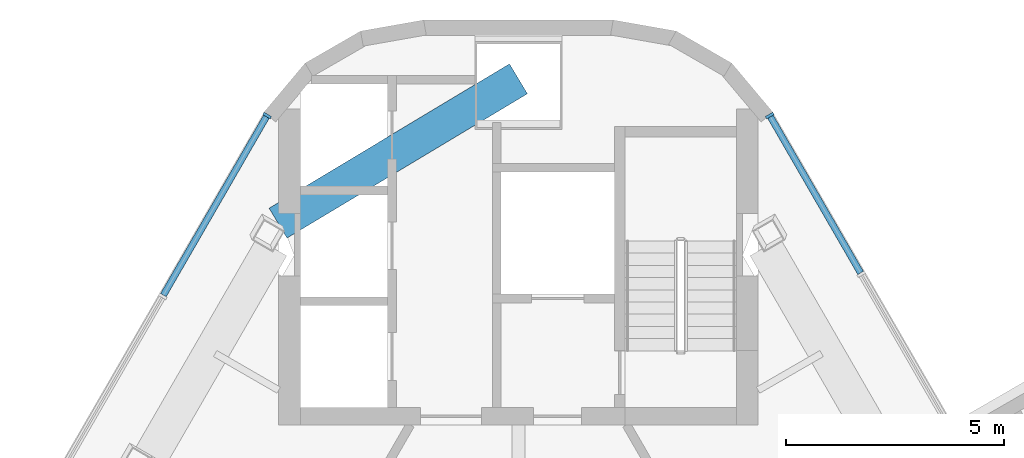
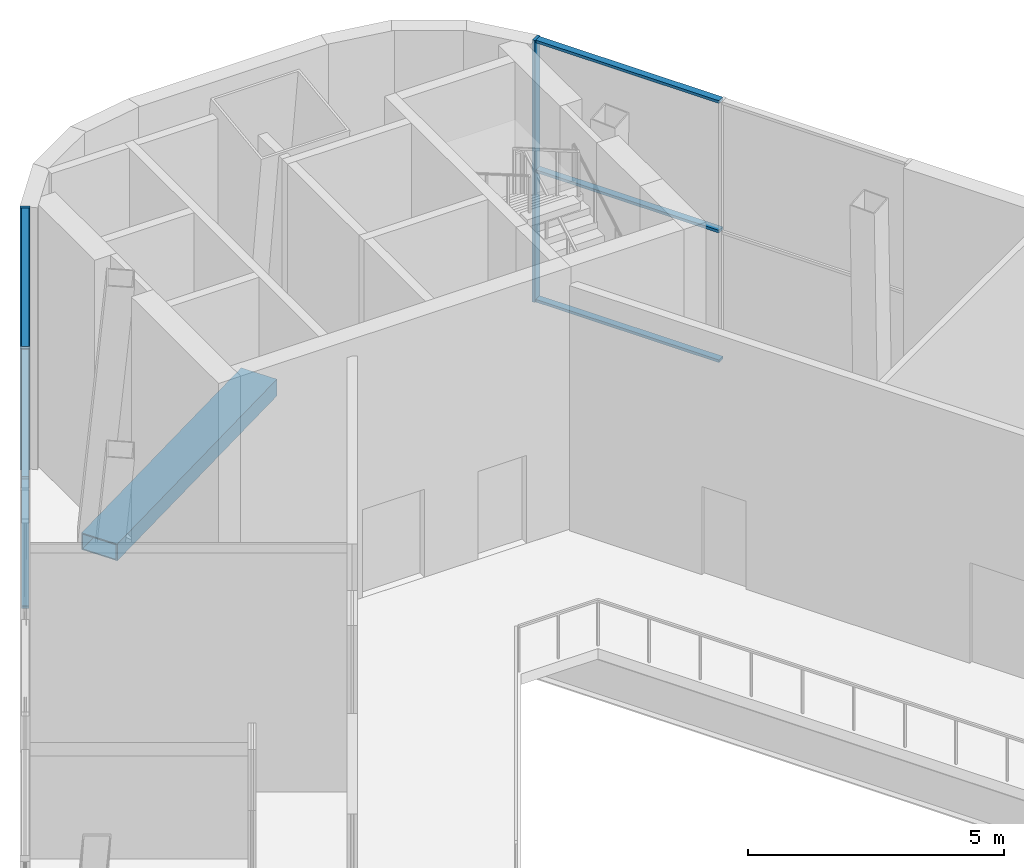
# One storey, part 5 of 12: 8 members, 1 beam, 2 elements without a shape of their own.
"""IFC4 building model written with IfcOpenShell, lengths in metres."""

from ifc_helpers import new_model, si_unit, direction, frame, origin, origin_2d, place, context, subcontext, project, spatial, rectangle, hollow_rectangle, extrude, material, layer, layer_set, material_profile, profile_set, type_object, element, aggregate, save


model = new_model("IFC4")

# Units and contexts
model_context = context("Model", 3, precision=1e-05, world=origin(), true_north=direction((0.0, 1.0)))
body_context = subcontext(model_context, "Body", "Model", "MODEL_VIEW")
ifc_project = project(units=[si_unit("LENGTHUNIT", "METRE"), si_unit("AREAUNIT", "SQUARE_METRE"), si_unit("VOLUMEUNIT", "CUBIC_METRE"), si_unit("PLANEANGLEUNIT", "RADIAN"), si_unit("MASSUNIT", "GRAM", prefix="KILO")], contexts=[model_context])

# Site, building, storey
site_placement = place(None, origin())
site = spatial("IfcSite", under=ifc_project, at=site_placement, CompositionType="ELEMENT")
building_placement = place(site_placement, origin())
building = spatial("IfcBuilding", under=site, at=building_placement, Name="Apuvela Tower Hotel", CompositionType="ELEMENT")
storey_placement = place(building_placement, frame((0.0, 0.0, 331.800048828125)))
storey = spatial("IfcBuildingStorey", under=building, at=storey_placement, Name="L83", CompositionType="ELEMENT", Elevation=331.800048828125)

# Curtain wall, member
ifc_material_1 = material(Name="Aluminium 6063-T6, dark bronze anodised", Category="aluminium")
ifc_layer = layer(ifc_material_1, 0.199951171875)
ifc_layer_set = layer_set([ifc_layer], Name="ENV-CW-L")
curtain_wall_type = type_object("IfcCurtainWallType", Name="ENV-CW-L", PredefinedType="NOTDEFINED", material=ifc_layer_set)
curtain_wall_1_placement = place(storey_placement, origin())
curtain_wall_1 = element("IfcCurtainWall", 1, at=curtain_wall_1_placement, inside=storey, type_object=curtain_wall_type, Name="Curtain wall CW-L NE L83-2", PredefinedType="NOTDEFINED")
ifc_material_profile_1 = material_profile(ifc_material_1, rectangle(XDim=0.199951171875, YDim=0.06494140625, at=origin_2d()), Name="AL 65x200")
ifc_profile_set_1 = profile_set([ifc_material_profile_1], Name="Aluminium 6063-T6, dark bronze anodised")
member_type_1 = type_object("IfcMemberType", Name="ENV-MULLION-65x200", PredefinedType="MULLION", material=ifc_profile_set_1)
member_1_placement = place(storey_placement, frame((5.76708984375, 19.99755859375, 0.0), z_axis=(0.0, 0.0, 1.0), x_axis=(-0.866022938296, -0.500004270328, 0.0)))
member_1 = element("IfcMember", 2, at=member_1_placement, type_object=member_type_1, Name="CW-L mullion 3", PredefinedType="MULLION", context=body_context, shape_type="SweptSolid", body=[
    extrude(rectangle(XDim=0.199951171875, YDim=0.06494140625, at=origin_2d()), origin(), (0.0, 0.0, 1.0), 6.25),
])

curtain_wall_2_placement = place(storey_placement, origin())
curtain_wall_2 = element("IfcCurtainWall", 3, at=curtain_wall_2_placement, inside=storey, type_object=curtain_wall_type, Name="Curtain wall CW-L NW L83", PredefinedType="NOTDEFINED")
member_2_placement = place(storey_placement, frame((-5.76708984375, 19.99755859375, 0.0), z_axis=(0.0, 0.0, 1.0), x_axis=(0.866025415461, -0.499999979776, 0.0)))
member_2 = element("IfcMember", 4, at=member_2_placement, type_object=member_type_1, Name="CW-L mullion 1", PredefinedType="MULLION", context=body_context, shape_type="SweptSolid", body=[
    extrude(rectangle(XDim=0.199951171875, YDim=0.06494140625, at=origin_2d()), origin(), (0.0, 0.0, 1.0), 6.25),
])

# Member
ifc_material_profile_2 = material_profile(ifc_material_1, rectangle(XDim=0.14990234375, YDim=0.06494140625, at=origin_2d()), Name="AL 65x150 transom")
ifc_profile_set_2 = profile_set([ifc_material_profile_2], Name="Aluminium 6063-T6, dark bronze anodised")
member_type_2 = type_object("IfcMemberType", Name="ENV-TRANSOM-65x150", PredefinedType="USERDEFINED", material=ifc_profile_set_2)
member_3_placement = place(storey_placement, frame((7.8515625, 16.387451171875, 0.032470703125), z_axis=(-0.50000517286, 0.866022417212, 0.0), x_axis=(-0.866022417212, -0.50000517286, 0.0)))
member_3 = element("IfcMember", 5, at=member_3_placement, type_object=member_type_2, Name="CW-L transom 2.1", ObjectType="TRANSOM", PredefinedType="USERDEFINED", context=body_context, shape_type="SweptSolid", body=[
    extrude(rectangle(XDim=0.14990234375, YDim=0.06494140625, at=origin_2d()), origin(), (0.0, 0.0, 1.0), 4.13623046875),
])

member_4_placement = place(storey_placement, frame((7.8515625, 16.387451171875, 3.125), z_axis=(-0.50000517286, 0.866022417212, 0.0), x_axis=(-0.866022417212, -0.50000517286, 0.0)))
member_4 = element("IfcMember", 6, at=member_4_placement, type_object=member_type_2, Name="CW-L transom 2.2", ObjectType="TRANSOM", PredefinedType="USERDEFINED", context=body_context, shape_type="SweptSolid", body=[
    extrude(rectangle(XDim=0.14990234375, YDim=0.06494140625, at=origin_2d()), origin(), (0.0, 0.0, 1.0), 4.13623046875),
])

member_5_placement = place(storey_placement, frame((7.8515625, 16.387451171875, 6.217529296875), z_axis=(-0.50000517286, 0.866022417212, 0.0), x_axis=(-0.866022417212, -0.50000517286, 0.0)))
member_5 = element("IfcMember", 7, at=member_5_placement, type_object=member_type_2, Name="CW-L transom 2.3", ObjectType="TRANSOM", PredefinedType="USERDEFINED", context=body_context, shape_type="SweptSolid", body=[
    extrude(rectangle(XDim=0.14990234375, YDim=0.06494140625, at=origin_2d()), origin(), (0.0, 0.0, 1.0), 4.13623046875),
])

aggregate(curtain_wall_1, [member_1, member_3, member_4, member_5])

member_6_placement = place(storey_placement, frame((-5.783447265625, 19.969482421875, 0.032470703125), z_axis=(-0.499962492195, -0.866047057843, 0.0), x_axis=(0.866047057843, -0.499962492195, 0.0)))
member_6 = element("IfcMember", 8, at=member_6_placement, type_object=member_type_2, Name="CW-L transom 1.1", ObjectType="TRANSOM", PredefinedType="USERDEFINED", context=body_context, shape_type="SweptSolid", body=[
    extrude(rectangle(XDim=0.14990234375, YDim=0.06494140625, at=origin_2d()), origin(), (0.0, 0.0, 1.0), 4.724853515625),
])

member_7_placement = place(storey_placement, frame((-5.783447265625, 19.969482421875, 3.125), z_axis=(-0.499962492195, -0.866047057843, 0.0), x_axis=(0.866047057843, -0.499962492195, 0.0)))
member_7 = element("IfcMember", 9, at=member_7_placement, type_object=member_type_2, Name="CW-L transom 1.2", ObjectType="TRANSOM", PredefinedType="USERDEFINED", context=body_context, shape_type="SweptSolid", body=[
    extrude(rectangle(XDim=0.14990234375, YDim=0.06494140625, at=origin_2d()), origin(), (0.0, 0.0, 1.0), 4.724853515625),
])

member_8_placement = place(storey_placement, frame((-5.783447265625, 19.969482421875, 6.217529296875), z_axis=(-0.499962492195, -0.866047057843, 0.0), x_axis=(0.866047057843, -0.499962492195, 0.0)))
member_8 = element("IfcMember", 10, at=member_8_placement, type_object=member_type_2, Name="CW-L transom 1.3", ObjectType="TRANSOM", PredefinedType="USERDEFINED", context=body_context, shape_type="SweptSolid", body=[
    extrude(rectangle(XDim=0.14990234375, YDim=0.06494140625, at=origin_2d()), origin(), (0.0, 0.0, 1.0), 4.724853515625),
])

aggregate(curtain_wall_2, [member_2, member_6, member_7, member_8])

# Beam
ifc_material_2 = material(Name="Steel S460", Category="steel")
ifc_material_profile_3 = material_profile(ifc_material_2, hollow_rectangle(XDim=0.800048828125, YDim=0.39990234375, WallThickness=0.02490234375, at=origin_2d()), Name="BOX 800x400x25")
ifc_profile_set_3 = profile_set([ifc_material_profile_3], Name="Steel S460")
beam_type = type_object("IfcBeamType", Name="STR-RB perimeter ring beam BOX 800x400x25", PredefinedType="SPANDREL", material=ifc_profile_set_3)
beam_placement = place(storey_placement, frame((-5.514892578125, 17.529296875, -0.449951171875), z_axis=(0.857365638577, 0.514707841195, 0.0), x_axis=(-0.514707841195, 0.857365638577, 0.0)))
element("IfcBeam", 11, at=beam_placement, inside=storey, type_object=beam_type, Name="Ring beam RB1 NW1-N", PredefinedType="SPANDREL", context=body_context, shape_type="SweptSolid", body=[
    extrude(hollow_rectangle(XDim=0.800048828125, YDim=0.39990234375, WallThickness=0.02490234375, at=origin_2d()), origin(), (0.0, 0.0, 1.0), 6.432373046875),
])

save(model, "model.ifc")
